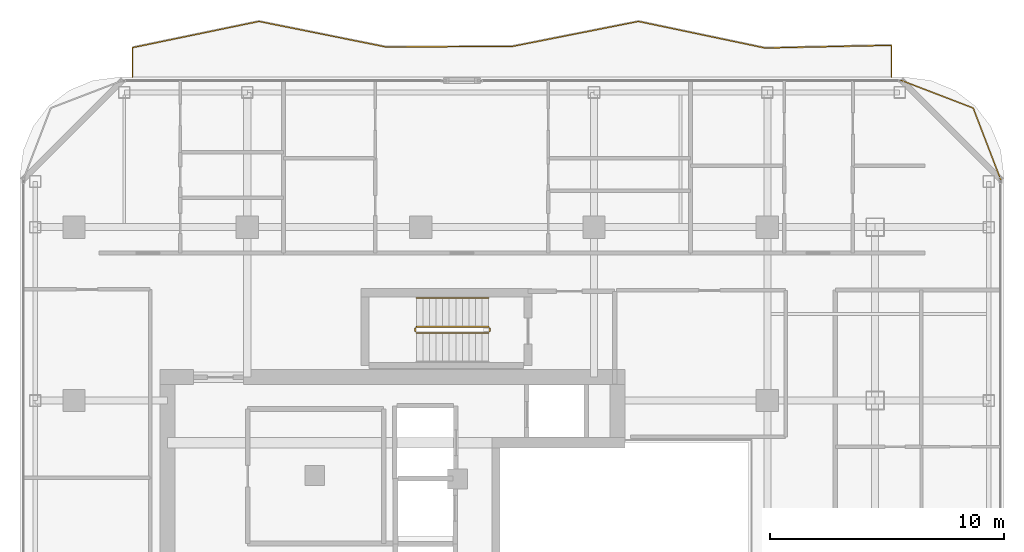
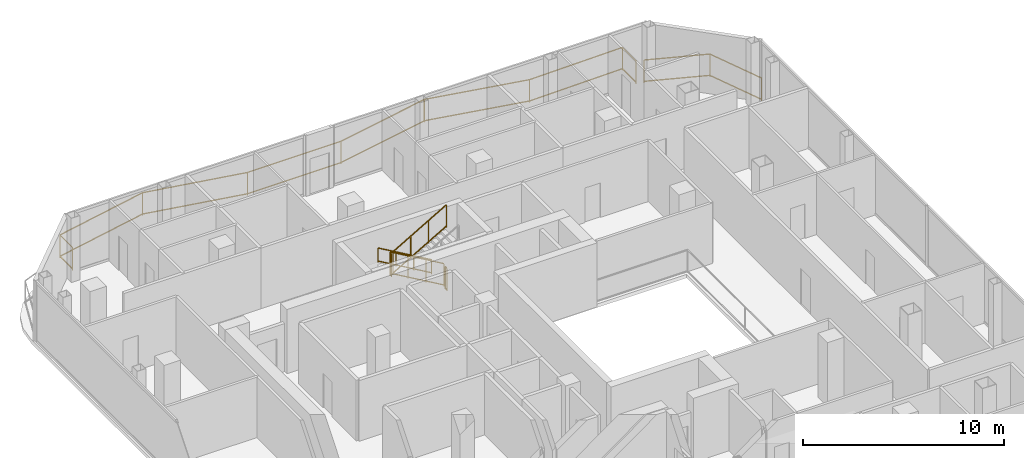
# One storey, part 23 of 23: 7 railings.
"""IFC4 building model written with IfcOpenShell, lengths in metres."""

from ifc_helpers import new_model, si_unit, direction, frame, origin, origin_2d, place, context, subcontext, project, spatial, rectangle, extrude, material, type_object, element, save


model = new_model("IFC4")

# Units and contexts
model_context = context("Model", 3, precision=1e-05, world=origin(), true_north=direction((0.0, 1.0)))
body_context = subcontext(model_context, "Body", "Model", "MODEL_VIEW")
ifc_project = project(units=[si_unit("LENGTHUNIT", "METRE"), si_unit("AREAUNIT", "SQUARE_METRE"), si_unit("VOLUMEUNIT", "CUBIC_METRE"), si_unit("PLANEANGLEUNIT", "RADIAN"), si_unit("MASSUNIT", "GRAM", prefix="KILO")], contexts=[model_context])

# Site, building, storey
site_placement = place(None, origin())
site = spatial("IfcSite", under=ifc_project, at=site_placement, CompositionType="ELEMENT")
building_placement = place(site_placement, origin())
building = spatial("IfcBuilding", under=site, at=building_placement, Name="Khorvyn Point Tower", CompositionType="ELEMENT")
storey_placement = place(building_placement, frame((0.0, 0.0, 274.199951171875)))
storey = spatial("IfcBuildingStorey", under=building, at=storey_placement, Name="L67", CompositionType="ELEMENT", Elevation=274.199951171875)

# Railings
ifc_material_1 = material(Name="Anodised aluminium 6063-T6 and laminated safety glass", Category="aluminium")
railing_type_1 = type_object("IfcRailingType", Name="Laminated Glass and Aluminium Balcony Guardrail 1400", PredefinedType="BALUSTRADE", material=ifc_material_1)
railing_1_placement = place(storey_placement, frame((24.7744140625, 16.78662109375, 0.0)))
element("IfcRailing", 1, at=railing_1_placement, inside=storey, type_object=railing_type_1, Name="L67 Rounded Corner Edge Guardrail NE", PredefinedType="BALUSTRADE", context=body_context, shape_type="SweptSolid", body=[
    extrude(rectangle(XDim=0.048095703125, YDim=0.048095703125, at=origin_2d()), frame((0.0, 0.0, 1.3759765625), z_axis=(-0.358392411044, 0.93357103624, 0.0), x_axis=(-0.93357103624, -0.358392411044, 0.0)), (0.0, 0.0, 1.0), 3.31884765625),
    extrude(rectangle(XDim=0.048095703125, YDim=0.048095703125, at=origin_2d()), frame((0.0, 0.0, 0.080078125), z_axis=(-0.358392411044, 0.93357103624, 0.0), x_axis=(-0.93357103624, -0.358392411044, 0.0)), (0.0, 0.0, 1.0), 3.31884765625),
    extrude(rectangle(XDim=0.048095703125, YDim=0.048095703125, at=origin_2d()), frame((-1.189453125, 3.098388671875, 1.3759765625), z_axis=(-0.93357103624, 0.358392411044, 0.0), x_axis=(-0.358392411044, -0.93357103624, 0.0)), (0.0, 0.0, 1.0), 3.31884765625),
    extrude(rectangle(XDim=0.048095703125, YDim=0.048095703125, at=origin_2d()), frame((-1.189453125, 3.098388671875, 0.080078125), z_axis=(-0.93357103624, 0.358392411044, 0.0), x_axis=(-0.358392411044, -0.93357103624, 0.0)), (0.0, 0.0, 1.0), 3.31884765625),
    extrude(rectangle(XDim=0.0419921875, YDim=0.0419921875, at=origin_2d()), origin(), (0.0, 0.0, 1.0), 1.351806640625),
    extrude(rectangle(XDim=0.0419921875, YDim=0.0419921875, at=origin_2d()), frame((-1.189453125, 3.098388671875, 0.0)), (0.0, 0.0, 1.0), 1.351806640625),
    extrude(rectangle(XDim=0.0419921875, YDim=0.0419921875, at=origin_2d()), frame((-4.287841796875, 4.287841796875, 0.0)), (0.0, 0.0, 1.0), 1.351806640625),
])
railing_2_placement = place(storey_placement, frame((20.10009765625, 21.199951171875, 0.0)))
element("IfcRailing", 2, at=railing_2_placement, inside=storey, type_object=railing_type_1, Name="L67 North Balcony Guardrail", PredefinedType="BALUSTRADE", context=body_context, shape_type="SweptSolid", body=[
    extrude(rectangle(XDim=0.048095703125, YDim=0.048095703125, at=origin_2d()), frame((0.0, 0.0, 1.3759765625), z_axis=(0.0, 1.0, 0.0), x_axis=(-1.0, 0.0, 0.0)), (0.0, 0.0, 1.0), 1.362548828125),
    extrude(rectangle(XDim=0.048095703125, YDim=0.048095703125, at=origin_2d()), frame((0.0, 0.0, 0.080078125), z_axis=(0.0, 1.0, 0.0), x_axis=(-1.0, 0.0, 0.0)), (0.0, 0.0, 1.0), 1.362548828125),
    extrude(rectangle(XDim=0.048095703125, YDim=0.048095703125, at=origin_2d()), frame((0.0, 1.362548828125, 1.3759765625), z_axis=(-0.999771433598, -0.021379442474, 0.0), x_axis=(0.021379442474, -0.999771433598, 0.0)), (0.0, 0.0, 1.0), 5.4013671875),
    extrude(rectangle(XDim=0.048095703125, YDim=0.048095703125, at=origin_2d()), frame((0.0, 1.362548828125, 0.080078125), z_axis=(-0.999771433598, -0.021379442474, 0.0), x_axis=(0.021379442474, -0.999771433598, 0.0)), (0.0, 0.0, 1.0), 5.4013671875),
    extrude(rectangle(XDim=0.048095703125, YDim=0.048095703125, at=origin_2d()), frame((-5.400146484375, 1.2470703125, 1.3759765625), z_axis=(-0.978633735831, 0.205611310715, 0.0), x_axis=(-0.205611310715, -0.978633735831, 0.0)), (0.0, 0.0, 1.0), 5.517822265625),
    extrude(rectangle(XDim=0.048095703125, YDim=0.048095703125, at=origin_2d()), frame((-5.400146484375, 1.2470703125, 0.080078125), z_axis=(-0.978633735831, 0.205611310715, 0.0), x_axis=(-0.205611310715, -0.978633735831, 0.0)), (0.0, 0.0, 1.0), 5.517822265625),
    extrude(rectangle(XDim=0.048095703125, YDim=0.048095703125, at=origin_2d()), frame((-10.800048828125, 2.381591796875, 1.3759765625), z_axis=(-0.980935546129, -0.194333358793, 0.0), x_axis=(0.194333358793, -0.980935546129, 0.0)), (0.0, 0.0, 1.0), 5.505126953125),
    extrude(rectangle(XDim=0.048095703125, YDim=0.048095703125, at=origin_2d()), frame((-10.800048828125, 2.381591796875, 0.080078125), z_axis=(-0.980935546129, -0.194333358793, 0.0), x_axis=(0.194333358793, -0.980935546129, 0.0)), (0.0, 0.0, 1.0), 5.505126953125),
    extrude(rectangle(XDim=0.048095703125, YDim=0.048095703125, at=origin_2d()), frame((-16.2001953125, 1.311767578125, 1.3759765625), z_axis=(-0.999995274007, -0.003074404496, 0.0), x_axis=(0.003074404496, -0.999995274007, 0.0)), (0.0, 0.0, 1.0), 5.39990234375),
    extrude(rectangle(XDim=0.048095703125, YDim=0.048095703125, at=origin_2d()), frame((-16.2001953125, 1.311767578125, 0.080078125), z_axis=(-0.999995274007, -0.003074404496, 0.0), x_axis=(0.003074404496, -0.999995274007, 0.0)), (0.0, 0.0, 1.0), 5.39990234375),
    extrude(rectangle(XDim=0.048095703125, YDim=0.048095703125, at=origin_2d()), frame((-21.60009765625, 1.295166015625, 1.3759765625), z_axis=(-0.980329281504, 0.197368943419, 0.0), x_axis=(-0.197368943419, -0.980329281504, 0.0)), (0.0, 0.0, 1.0), 5.50830078125),
    extrude(rectangle(XDim=0.048095703125, YDim=0.048095703125, at=origin_2d()), frame((-21.60009765625, 1.295166015625, 0.080078125), z_axis=(-0.980329281504, 0.197368943419, 0.0), x_axis=(-0.197368943419, -0.980329281504, 0.0)), (0.0, 0.0, 1.0), 5.50830078125),
    extrude(rectangle(XDim=0.048095703125, YDim=0.048095703125, at=origin_2d()), frame((-27.0, 2.38232421875, 1.3759765625), z_axis=(-0.979175531991, -0.203015461355, 0.0), x_axis=(0.203015461355, -0.979175531991, 0.0)), (0.0, 0.0, 1.0), 5.514892578125),
    extrude(rectangle(XDim=0.048095703125, YDim=0.048095703125, at=origin_2d()), frame((-27.0, 2.38232421875, 0.080078125), z_axis=(-0.979175531991, -0.203015461355, 0.0), x_axis=(0.203015461355, -0.979175531991, 0.0)), (0.0, 0.0, 1.0), 5.514892578125),
    extrude(rectangle(XDim=0.048095703125, YDim=0.048095703125, at=origin_2d()), frame((-32.400146484375, 1.2626953125, 1.3759765625), z_axis=(0.0, -1.0, 0.0), x_axis=(1.0, 0.0, 0.0)), (0.0, 0.0, 1.0), 1.2626953125),
    extrude(rectangle(XDim=0.048095703125, YDim=0.048095703125, at=origin_2d()), frame((-32.400146484375, 1.2626953125, 0.080078125), z_axis=(0.0, -1.0, 0.0), x_axis=(1.0, 0.0, 0.0)), (0.0, 0.0, 1.0), 1.2626953125),
    extrude(rectangle(XDim=0.0419921875, YDim=0.0419921875, at=origin_2d()), origin(), (0.0, 0.0, 1.0), 1.351806640625),
    extrude(rectangle(XDim=0.0419921875, YDim=0.0419921875, at=origin_2d()), frame((0.0, 1.362548828125, 0.0)), (0.0, 0.0, 1.0), 1.351806640625),
    extrude(rectangle(XDim=0.0419921875, YDim=0.0419921875, at=origin_2d()), frame((-5.400146484375, 1.2470703125, 0.0)), (0.0, 0.0, 1.0), 1.351806640625),
    extrude(rectangle(XDim=0.0419921875, YDim=0.0419921875, at=origin_2d()), frame((-10.800048828125, 2.381591796875, 0.0)), (0.0, 0.0, 1.0), 1.351806640625),
    extrude(rectangle(XDim=0.0419921875, YDim=0.0419921875, at=origin_2d()), frame((-16.2001953125, 1.311767578125, 0.0)), (0.0, 0.0, 1.0), 1.351806640625),
    extrude(rectangle(XDim=0.0419921875, YDim=0.0419921875, at=origin_2d()), frame((-21.60009765625, 1.295166015625, 0.0)), (0.0, 0.0, 1.0), 1.351806640625),
    extrude(rectangle(XDim=0.0419921875, YDim=0.0419921875, at=origin_2d()), frame((-27.0, 2.38232421875, 0.0)), (0.0, 0.0, 1.0), 1.351806640625),
    extrude(rectangle(XDim=0.0419921875, YDim=0.0419921875, at=origin_2d()), frame((-32.400146484375, 1.2626953125, 0.0)), (0.0, 0.0, 1.0), 1.351806640625),
    extrude(rectangle(XDim=0.0419921875, YDim=0.0419921875, at=origin_2d()), frame((-32.400146484375, 0.0, 0.0)), (0.0, 0.0, 1.0), 1.351806640625),
])
ifc_material_2 = material(Name="Stainless steel 1.4301", Category="steel")
railing_type_2 = type_object("IfcRailingType", Name="Stainless Steel 304 Stair Pitch Handrail 900", PredefinedType="HANDRAIL", material=ifc_material_2)
railing_3_placement = place(storey_placement, frame((2.89990234375, 11.77001953125, 0.16259765625)))
element("IfcRailing", 3, at=railing_3_placement, inside=storey, type_object=railing_type_2, Name="L67 ST-02 stair handrail 1", PredefinedType="HANDRAIL", context=body_context, shape_type="SweptSolid", body=[
    extrude(rectangle(XDim=0.048095703125, YDim=0.048095703125, at=origin_2d()), frame((0.0, 0.0, 0.8759765625), z_axis=(-0.864903211148, 0.0, 0.501938676878), x_axis=(0.0, -1.0, 0.0)), (0.0, 0.0, 1.0), 3.560791015625),
    extrude(rectangle(XDim=0.048095703125, YDim=0.048095703125, at=origin_2d()), frame((0.0, 0.0, 0.080078125), z_axis=(-0.864903211148, 0.0, 0.501938676878), x_axis=(0.0, -1.0, 0.0)), (0.0, 0.0, 1.0), 3.560791015625),
    extrude(rectangle(XDim=0.0419921875, YDim=0.0419921875, at=origin_2d()), origin(), (0.0, 0.0, 1.0), 0.851806640625),
    extrude(rectangle(XDim=0.0419921875, YDim=0.0419921875, at=origin_2d()), frame((-1.026611328125, 0.0, 0.595703125)), (0.0, 0.0, 1.0), 0.851806640625),
    extrude(rectangle(XDim=0.0419921875, YDim=0.0419921875, at=origin_2d()), frame((-2.05322265625, 0.0, 1.191650390625)), (0.0, 0.0, 1.0), 0.851806640625),
    extrude(rectangle(XDim=0.0419921875, YDim=0.0419921875, at=origin_2d()), frame((-3.079833984375, 0.0, 1.787353515625)), (0.0, 0.0, 1.0), 0.851806640625),
])
railing_type_3 = type_object("IfcRailingType", Name="Stainless Steel 304 Stair Well Guardrail 1400", PredefinedType="GUARDRAIL", material=ifc_material_2)
railing_4_placement = place(storey_placement, frame((2.89990234375, 10.550048828125, 0.16259765625)))
element("IfcRailing", 4, at=railing_4_placement, inside=storey, type_object=railing_type_3, Name="L67 ST-02 stair guard 1", PredefinedType="GUARDRAIL", context=body_context, shape_type="SweptSolid", body=[
    extrude(rectangle(XDim=0.048095703125, YDim=0.048095703125, at=origin_2d()), frame((0.0, 0.0, 1.3759765625), z_axis=(-0.864903211148, 0.0, 0.501938676878), x_axis=(0.0, -1.0, 0.0)), (0.0, 0.0, 1.0), 3.560791015625),
    extrude(rectangle(XDim=0.048095703125, YDim=0.048095703125, at=origin_2d()), frame((0.0, 0.0, 0.080078125), z_axis=(-0.864903211148, 0.0, 0.501938676878), x_axis=(0.0, -1.0, 0.0)), (0.0, 0.0, 1.0), 3.560791015625),
    extrude(rectangle(XDim=0.0419921875, YDim=0.0419921875, at=origin_2d()), origin(), (0.0, 0.0, 1.0), 1.351806640625),
    extrude(rectangle(XDim=0.0419921875, YDim=0.0419921875, at=origin_2d()), frame((-1.026611328125, 0.0, 0.595703125)), (0.0, 0.0, 1.0), 1.351806640625),
    extrude(rectangle(XDim=0.0419921875, YDim=0.0419921875, at=origin_2d()), frame((-2.05322265625, 0.0, 1.191650390625)), (0.0, 0.0, 1.0), 1.351806640625),
    extrude(rectangle(XDim=0.0419921875, YDim=0.0419921875, at=origin_2d()), frame((-3.079833984375, 0.0, 1.787353515625)), (0.0, 0.0, 1.0), 1.351806640625),
])
railing_5_placement = place(storey_placement, frame((-0.22998046875, 10.5, 1.949951171875)))
element("IfcRailing", 5, at=railing_5_placement, inside=storey, type_object=railing_type_3, Name="L67 ST-02 stair guard 2", PredefinedType="GUARDRAIL", context=body_context, shape_type="SweptSolid", body=[
    extrude(rectangle(XDim=0.048095703125, YDim=0.048095703125, at=origin_2d()), frame((0.0, 0.0, 1.3759765625), z_axis=(0.0, -1.0, 0.0), x_axis=(1.0, 0.0, 0.0)), (0.0, 0.0, 1.0), 0.159912109375),
    extrude(rectangle(XDim=0.048095703125, YDim=0.048095703125, at=origin_2d()), frame((0.0, 0.0, 0.080078125), z_axis=(0.0, -1.0, 0.0), x_axis=(1.0, 0.0, 0.0)), (0.0, 0.0, 1.0), 0.159912109375),
    extrude(rectangle(XDim=0.0419921875, YDim=0.0419921875, at=origin_2d()), origin(), (0.0, 0.0, 1.0), 1.351806640625),
    extrude(rectangle(XDim=0.0419921875, YDim=0.0419921875, at=origin_2d()), frame((0.0, -0.159912109375, 0.0)), (0.0, 0.0, 1.0), 1.351806640625),
])
railing_6_placement = place(storey_placement, frame((-0.179931640625, 10.2900390625, 2.112548828125)))
element("IfcRailing", 6, at=railing_6_placement, inside=storey, type_object=railing_type_3, Name="L67 ST-02 stair guard 3", PredefinedType="GUARDRAIL", context=body_context, shape_type="SweptSolid", body=[
    extrude(rectangle(XDim=0.048095703125, YDim=0.048095703125, at=origin_2d()), frame((0.0, 0.0, 1.3759765625), z_axis=(0.864873446163, 0.0, 0.501989962173), x_axis=(0.0, 1.0, 0.0)), (0.0, 0.0, 1.0), 3.56103515625),
    extrude(rectangle(XDim=0.048095703125, YDim=0.048095703125, at=origin_2d()), frame((0.0, 0.0, 0.080078125), z_axis=(0.864873446163, 0.0, 0.501989962173), x_axis=(0.0, 1.0, 0.0)), (0.0, 0.0, 1.0), 3.56103515625),
    extrude(rectangle(XDim=0.0419921875, YDim=0.0419921875, at=origin_2d()), origin(), (0.0, 0.0, 1.0), 1.351806640625),
    extrude(rectangle(XDim=0.0419921875, YDim=0.0419921875, at=origin_2d()), frame((1.026611328125, 0.0, 0.595947265625)), (0.0, 0.0, 1.0), 1.351806640625),
    extrude(rectangle(XDim=0.0419921875, YDim=0.0419921875, at=origin_2d()), frame((2.05322265625, 0.0, 1.191650390625)), (0.0, 0.0, 1.0), 1.351806640625),
    extrude(rectangle(XDim=0.0419921875, YDim=0.0419921875, at=origin_2d()), frame((3.079833984375, 0.0, 1.78759765625)), (0.0, 0.0, 1.0), 1.351806640625),
])
railing_7_placement = place(storey_placement, frame((2.949951171875, 10.5, 0.0)))
element("IfcRailing", 7, at=railing_7_placement, inside=storey, type_object=railing_type_3, Name="L67 ST-02 stair guard 4", PredefinedType="GUARDRAIL", context=body_context, shape_type="SweptSolid", body=[
    extrude(rectangle(XDim=0.048095703125, YDim=0.048095703125, at=origin_2d()), frame((0.0, 0.0, 1.3759765625), z_axis=(0.0, -1.0, 0.0), x_axis=(1.0, 0.0, 0.0)), (0.0, 0.0, 1.0), 0.159912109375),
    extrude(rectangle(XDim=0.048095703125, YDim=0.048095703125, at=origin_2d()), frame((0.0, 0.0, 0.080078125), z_axis=(0.0, -1.0, 0.0), x_axis=(1.0, 0.0, 0.0)), (0.0, 0.0, 1.0), 0.159912109375),
    extrude(rectangle(XDim=0.0419921875, YDim=0.0419921875, at=origin_2d()), origin(), (0.0, 0.0, 1.0), 1.351806640625),
    extrude(rectangle(XDim=0.0419921875, YDim=0.0419921875, at=origin_2d()), frame((0.0, -0.159912109375, 0.0)), (0.0, 0.0, 1.0), 1.351806640625),
])

save(model, "model.ifc")
